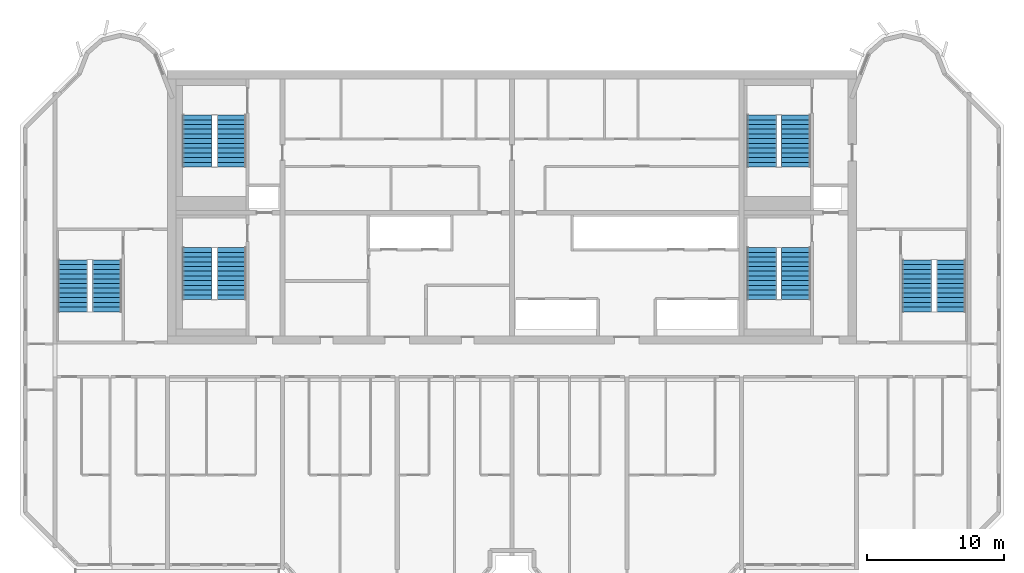
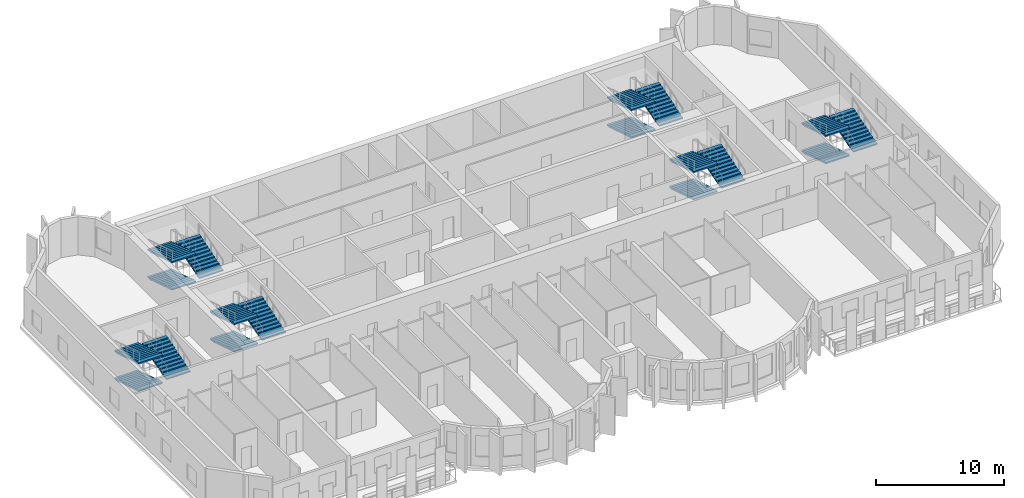
# One storey, part 9 of 11: 18 stair flights, 6 elements without a shape of their own.
"""IFC4 building model written with IfcOpenShell, lengths in metres."""

from ifc_helpers import new_model, si_unit, direction, frame, origin, place, context, subcontext, project, spatial, polyline, outline, extrude, source, transform, mapped, material, type_object, element, aggregate, save


model = new_model("IFC4")

# Units and contexts
model_context = context("Model", 3, precision=1e-05, world=origin(), true_north=direction((0.0, 1.0)))
body_context = subcontext(model_context, "Body", "Model", "MODEL_VIEW")
ifc_project = project(units=[si_unit("LENGTHUNIT", "METRE"), si_unit("AREAUNIT", "SQUARE_METRE"), si_unit("VOLUMEUNIT", "CUBIC_METRE"), si_unit("PLANEANGLEUNIT", "RADIAN"), si_unit("MASSUNIT", "GRAM", prefix="KILO")], contexts=[model_context])

# Site, building, storey
site_placement = place(None, origin())
site = spatial("IfcSite", under=ifc_project, at=site_placement, CompositionType="ELEMENT")
building_placement = place(site_placement, origin())
building = spatial("IfcBuilding", under=site, at=building_placement, Name="Vanashikhar Sky Hotel", CompositionType="ELEMENT")
storey_placement = place(building_placement, frame((0.0, 0.0, 233.5)))
storey = spatial("IfcBuildingStorey", under=building, at=storey_placement, Name="L56", CompositionType="ELEMENT", Elevation=233.5)

# Stair, stair flights
ifc_material = material(Name="Concrete M40", Category="concrete")
stair_type = type_object("IfcStairType", Name="Exit stair 2150", PredefinedType="DOUBLE_RETURN_STAIR", material=ifc_material)
stair_1_placement = place(storey_placement, origin())
stair_1 = element("IfcStair", 1, at=stair_1_placement, inside=storey, type_object=stair_type, Name="L56 Exit stair 1", PredefinedType="DOUBLE_RETURN_STAIR")
stair_flight_type = type_object("IfcStairFlightType", Name="Stair flight 2150", PredefinedType="STRAIGHT", material=ifc_material)
shared_shape = source(origin(), body_context, "Body", "SweptSolid", [
    extrude(outline(polyline([(0.0, 0.0), (0.0, 0.1083984375), (0.345458984375, 0.1083984375), (0.345458984375, 0.216552734375), (0.69091796875, 0.216552734375), (0.69091796875, 0.324951171875), (1.036376953125, 0.324951171875), (1.036376953125, 0.433349609375), (1.3818359375, 0.433349609375), (1.3818359375, 0.541748046875), (1.727294921875, 0.541748046875), (1.727294921875, 0.64990234375), (2.07275390625, 0.64990234375), (2.07275390625, 0.75830078125), (2.418212890625, 0.75830078125), (2.418212890625, 0.86669921875), (2.763671875, 0.86669921875), (2.763671875, 0.97509765625), (3.109130859375, 0.97509765625), (3.109130859375, 1.083251953125), (3.45458984375, 1.083251953125), (3.45458984375, 1.191650390625), (3.800048828125, 1.191650390625), (3.800048828125, 1.300048828125), (3.800048828125, 1.065673828125), (0.4013671875, 0.0), (0.0, 0.0)])), frame((0.0, 1.074951171875, 0.0), z_axis=(0.0, -1.0, 0.0), x_axis=(1.0, 0.0, 0.0)), (0.0, 0.0, 1.0), 2.14990234375),
])
stair_flight_1_placement = place(storey_placement, frame((27.375, 29.050048828125, 0.0), z_axis=(0.0, 0.0, 1.0), x_axis=(0.0, -1.0, 0.0)))
stair_flight_1 = element("IfcStairFlight", 2, at=stair_flight_1_placement, type_object=stair_flight_type, Name="ST-C1 flight 1", NumberOfRisers=12, NumberOfTreads=11, PredefinedType="STRAIGHT", RiserHeight=0.108333333, TreadLength=0.345454545, context=body_context, shape_type="MappedRepresentation", body=[
    mapped(shared_shape, transform((0.0, 0.0, 0.0), scale=1.0)),
])
stair_flight_2_placement = place(storey_placement, frame((29.875, 25.25, 1.300048828125), z_axis=(0.0, 0.0, 1.0), x_axis=(0.0, 1.0, 0.0)))
stair_flight_2 = element("IfcStairFlight", 3, at=stair_flight_2_placement, type_object=stair_flight_type, Name="ST-C1 flight 2", NumberOfRisers=12, NumberOfTreads=11, PredefinedType="STRAIGHT", RiserHeight=0.108333333, TreadLength=0.345454545, context=body_context, shape_type="MappedRepresentation", body=[
    mapped(shared_shape, transform((0.0, 0.0, 0.0), scale=1.0)),
])
stair_flight_3_placement = place(storey_placement, frame((27.375, 29.050048828125, 2.60009765625), z_axis=(0.0, 0.0, 1.0), x_axis=(0.0, -1.0, 0.0)))
stair_flight_3 = element("IfcStairFlight", 4, at=stair_flight_3_placement, type_object=stair_flight_type, Name="ST-C1 flight 3", NumberOfRisers=12, NumberOfTreads=11, PredefinedType="STRAIGHT", RiserHeight=0.108333333, TreadLength=0.345454545, context=body_context, shape_type="MappedRepresentation", body=[
    mapped(shared_shape, transform((0.0, 0.0, 0.0), scale=1.0)),
])
aggregate(stair_1, [stair_flight_1, stair_flight_2, stair_flight_3])

stair_2_placement = place(storey_placement, origin())
stair_2 = element("IfcStair", 5, at=stair_2_placement, inside=storey, type_object=stair_type, Name="L56 Exit stair 2", PredefinedType="DOUBLE_RETURN_STAIR")
stair_flight_4_placement = place(storey_placement, frame((68.675048828125, 29.050048828125, 0.0), z_axis=(0.0, 0.0, 1.0), x_axis=(0.0, -1.0, 0.0)))
stair_flight_4 = element("IfcStairFlight", 6, at=stair_flight_4_placement, type_object=stair_flight_type, Name="ST-C2 flight 1", NumberOfRisers=12, NumberOfTreads=11, PredefinedType="STRAIGHT", RiserHeight=0.108333333, TreadLength=0.345454545, context=body_context, shape_type="MappedRepresentation", body=[
    mapped(shared_shape, transform((0.0, 0.0, 0.0), scale=1.0)),
])
stair_flight_5_placement = place(storey_placement, frame((71.175048828125, 25.25, 1.300048828125), z_axis=(0.0, 0.0, 1.0), x_axis=(0.0, 1.0, 0.0)))
stair_flight_5 = element("IfcStairFlight", 7, at=stair_flight_5_placement, type_object=stair_flight_type, Name="ST-C2 flight 2", NumberOfRisers=12, NumberOfTreads=11, PredefinedType="STRAIGHT", RiserHeight=0.108333333, TreadLength=0.345454545, context=body_context, shape_type="MappedRepresentation", body=[
    mapped(shared_shape, transform((0.0, 0.0, 0.0), scale=1.0)),
])
stair_flight_6_placement = place(storey_placement, frame((68.675048828125, 29.050048828125, 2.60009765625), z_axis=(0.0, 0.0, 1.0), x_axis=(0.0, -1.0, 0.0)))
stair_flight_6 = element("IfcStairFlight", 8, at=stair_flight_6_placement, type_object=stair_flight_type, Name="ST-C2 flight 3", NumberOfRisers=12, NumberOfTreads=11, PredefinedType="STRAIGHT", RiserHeight=0.108333333, TreadLength=0.345454545, context=body_context, shape_type="MappedRepresentation", body=[
    mapped(shared_shape, transform((0.0, 0.0, 0.0), scale=1.0)),
])
aggregate(stair_2, [stair_flight_4, stair_flight_5, stair_flight_6])

stair_3_placement = place(storey_placement, origin())
stair_3 = element("IfcStair", 9, at=stair_3_placement, inside=storey, type_object=stair_type, Name="L56 Exit stair 3", PredefinedType="DOUBLE_RETURN_STAIR")
stair_flight_7_placement = place(storey_placement, frame((18.27490234375, 28.14990234375, 0.0), z_axis=(0.0, 0.0, 1.0), x_axis=(0.0, -1.0, 0.0)))
stair_flight_7 = element("IfcStairFlight", 10, at=stair_flight_7_placement, type_object=stair_flight_type, Name="ST-W flight 1", NumberOfRisers=12, NumberOfTreads=11, PredefinedType="STRAIGHT", RiserHeight=0.108333333, TreadLength=0.345454545, context=body_context, shape_type="MappedRepresentation", body=[
    mapped(shared_shape, transform((0.0, 0.0, 0.0), scale=1.0)),
])
stair_flight_8_placement = place(storey_placement, frame((20.77490234375, 24.35009765625, 1.300048828125), z_axis=(0.0, 0.0, 1.0), x_axis=(0.0, 1.0, 0.0)))
stair_flight_8 = element("IfcStairFlight", 11, at=stair_flight_8_placement, type_object=stair_flight_type, Name="ST-W flight 2", NumberOfRisers=12, NumberOfTreads=11, PredefinedType="STRAIGHT", RiserHeight=0.108333333, TreadLength=0.345454545, context=body_context, shape_type="MappedRepresentation", body=[
    mapped(shared_shape, transform((0.0, 0.0, 0.0), scale=1.0)),
])
stair_flight_9_placement = place(storey_placement, frame((18.27490234375, 28.14990234375, 2.60009765625), z_axis=(0.0, 0.0, 1.0), x_axis=(0.0, -1.0, 0.0)))
stair_flight_9 = element("IfcStairFlight", 12, at=stair_flight_9_placement, type_object=stair_flight_type, Name="ST-W flight 3", NumberOfRisers=12, NumberOfTreads=11, PredefinedType="STRAIGHT", RiserHeight=0.108333333, TreadLength=0.345454545, context=body_context, shape_type="MappedRepresentation", body=[
    mapped(shared_shape, transform((0.0, 0.0, 0.0), scale=1.0)),
])
aggregate(stair_3, [stair_flight_7, stair_flight_8, stair_flight_9])

stair_4_placement = place(storey_placement, origin())
stair_4 = element("IfcStair", 13, at=stair_4_placement, inside=storey, type_object=stair_type, Name="L56 Exit stair 4", PredefinedType="DOUBLE_RETURN_STAIR")
stair_flight_10_placement = place(storey_placement, frame((80.02490234375, 28.14990234375, 0.0), z_axis=(0.0, 0.0, 1.0), x_axis=(0.0, -1.0, 0.0)))
stair_flight_10 = element("IfcStairFlight", 14, at=stair_flight_10_placement, type_object=stair_flight_type, Name="ST-E flight 1", NumberOfRisers=12, NumberOfTreads=11, PredefinedType="STRAIGHT", RiserHeight=0.108333333, TreadLength=0.345454545, context=body_context, shape_type="MappedRepresentation", body=[
    mapped(shared_shape, transform((0.0, 0.0, 0.0), scale=1.0)),
])
stair_flight_11_placement = place(storey_placement, frame((82.52490234375, 24.35009765625, 1.300048828125), z_axis=(0.0, 0.0, 1.0), x_axis=(0.0, 1.0, 0.0)))
stair_flight_11 = element("IfcStairFlight", 15, at=stair_flight_11_placement, type_object=stair_flight_type, Name="ST-E flight 2", NumberOfRisers=12, NumberOfTreads=11, PredefinedType="STRAIGHT", RiserHeight=0.108333333, TreadLength=0.345454545, context=body_context, shape_type="MappedRepresentation", body=[
    mapped(shared_shape, transform((0.0, 0.0, 0.0), scale=1.0)),
])
stair_flight_12_placement = place(storey_placement, frame((80.02490234375, 28.14990234375, 2.60009765625), z_axis=(0.0, 0.0, 1.0), x_axis=(0.0, -1.0, 0.0)))
stair_flight_12 = element("IfcStairFlight", 16, at=stair_flight_12_placement, type_object=stair_flight_type, Name="ST-E flight 3", NumberOfRisers=12, NumberOfTreads=11, PredefinedType="STRAIGHT", RiserHeight=0.108333333, TreadLength=0.345454545, context=body_context, shape_type="MappedRepresentation", body=[
    mapped(shared_shape, transform((0.0, 0.0, 0.0), scale=1.0)),
])
aggregate(stair_4, [stair_flight_10, stair_flight_11, stair_flight_12])

stair_5_placement = place(storey_placement, origin())
stair_5 = element("IfcStair", 17, at=stair_5_placement, inside=storey, type_object=stair_type, Name="L56 Exit stair 5", PredefinedType="DOUBLE_RETURN_STAIR")
stair_flight_13_placement = place(storey_placement, frame((27.375, 38.75, 0.0), z_axis=(0.0, 0.0, 1.0), x_axis=(0.0, -1.0, 0.0)))
stair_flight_13 = element("IfcStairFlight", 18, at=stair_flight_13_placement, type_object=stair_flight_type, Name="ST-C3 flight 1", NumberOfRisers=12, NumberOfTreads=11, PredefinedType="STRAIGHT", RiserHeight=0.108333333, TreadLength=0.345454545, context=body_context, shape_type="MappedRepresentation", body=[
    mapped(shared_shape, transform((0.0, 0.0, 0.0), scale=1.0)),
])
stair_flight_14_placement = place(storey_placement, frame((29.875, 34.949951171875, 1.300048828125), z_axis=(0.0, 0.0, 1.0), x_axis=(0.0, 1.0, 0.0)))
stair_flight_14 = element("IfcStairFlight", 19, at=stair_flight_14_placement, type_object=stair_flight_type, Name="ST-C3 flight 2", NumberOfRisers=12, NumberOfTreads=11, PredefinedType="STRAIGHT", RiserHeight=0.108333333, TreadLength=0.345454545, context=body_context, shape_type="MappedRepresentation", body=[
    mapped(shared_shape, transform((0.0, 0.0, 0.0), scale=1.0)),
])
stair_flight_15_placement = place(storey_placement, frame((27.375, 38.75, 2.60009765625), z_axis=(0.0, 0.0, 1.0), x_axis=(0.0, -1.0, 0.0)))
stair_flight_15 = element("IfcStairFlight", 20, at=stair_flight_15_placement, type_object=stair_flight_type, Name="ST-C3 flight 3", NumberOfRisers=12, NumberOfTreads=11, PredefinedType="STRAIGHT", RiserHeight=0.108333333, TreadLength=0.345454545, context=body_context, shape_type="MappedRepresentation", body=[
    mapped(shared_shape, transform((0.0, 0.0, 0.0), scale=1.0)),
])
aggregate(stair_5, [stair_flight_13, stair_flight_14, stair_flight_15])

stair_6_placement = place(storey_placement, origin())
stair_6 = element("IfcStair", 21, at=stair_6_placement, inside=storey, type_object=stair_type, Name="L56 Exit stair 6", PredefinedType="DOUBLE_RETURN_STAIR")
stair_flight_16_placement = place(storey_placement, frame((68.675048828125, 38.75, 0.0), z_axis=(0.0, 0.0, 1.0), x_axis=(0.0, -1.0, 0.0)))
stair_flight_16 = element("IfcStairFlight", 22, at=stair_flight_16_placement, type_object=stair_flight_type, Name="ST-C4 flight 1", NumberOfRisers=12, NumberOfTreads=11, PredefinedType="STRAIGHT", RiserHeight=0.108333333, TreadLength=0.345454545, context=body_context, shape_type="MappedRepresentation", body=[
    mapped(shared_shape, transform((0.0, 0.0, 0.0), scale=1.0)),
])
stair_flight_17_placement = place(storey_placement, frame((71.175048828125, 34.949951171875, 1.300048828125), z_axis=(0.0, 0.0, 1.0), x_axis=(0.0, 1.0, 0.0)))
stair_flight_17 = element("IfcStairFlight", 23, at=stair_flight_17_placement, type_object=stair_flight_type, Name="ST-C4 flight 2", NumberOfRisers=12, NumberOfTreads=11, PredefinedType="STRAIGHT", RiserHeight=0.108333333, TreadLength=0.345454545, context=body_context, shape_type="MappedRepresentation", body=[
    mapped(shared_shape, transform((0.0, 0.0, 0.0), scale=1.0)),
])
stair_flight_18_placement = place(storey_placement, frame((68.675048828125, 38.75, 2.60009765625), z_axis=(0.0, 0.0, 1.0), x_axis=(0.0, -1.0, 0.0)))
stair_flight_18 = element("IfcStairFlight", 24, at=stair_flight_18_placement, type_object=stair_flight_type, Name="ST-C4 flight 3", NumberOfRisers=12, NumberOfTreads=11, PredefinedType="STRAIGHT", RiserHeight=0.108333333, TreadLength=0.345454545, context=body_context, shape_type="MappedRepresentation", body=[
    mapped(shared_shape, transform((0.0, 0.0, 0.0), scale=1.0)),
])
aggregate(stair_6, [stair_flight_16, stair_flight_17, stair_flight_18])

save(model, "model.ifc")
